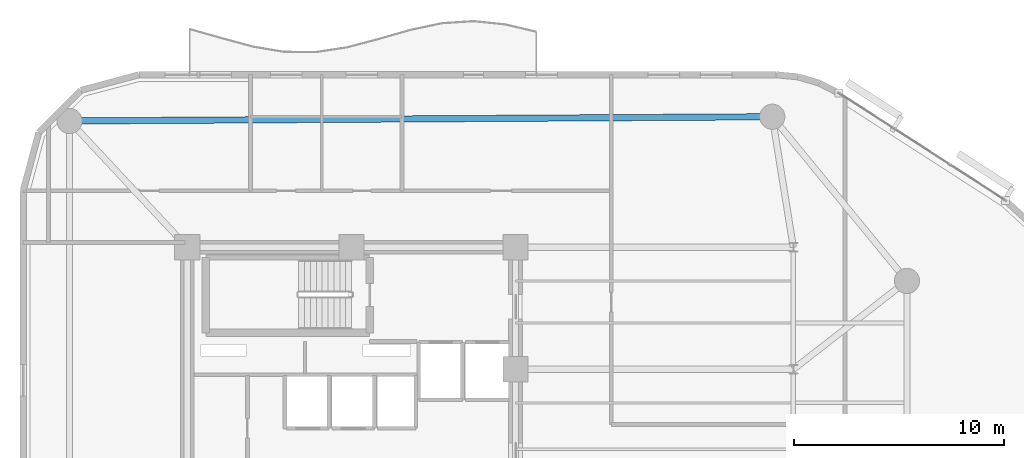
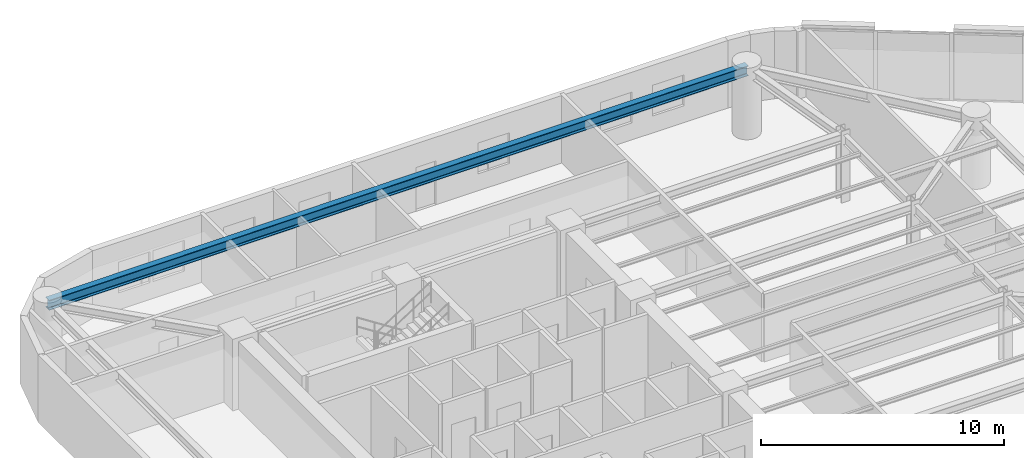
# One storey, part 7 of 14: 1 beam.
"""IFC4 building model written with IfcOpenShell, lengths in metres."""

from ifc_helpers import new_model, si_unit, direction, frame, origin, origin_2d, place, context, subcontext, project, spatial, i_section, extrude, material, material_profile, profile_set, type_object, element, save


model = new_model("IFC4")

# Units and contexts
model_context = context("Model", 3, precision=1e-05, world=origin(), true_north=direction((0.0, 1.0)))
body_context = subcontext(model_context, "Body", "Model", "MODEL_VIEW")
ifc_project = project(units=[si_unit("LENGTHUNIT", "METRE"), si_unit("AREAUNIT", "SQUARE_METRE"), si_unit("VOLUMEUNIT", "CUBIC_METRE"), si_unit("PLANEANGLEUNIT", "RADIAN"), si_unit("MASSUNIT", "GRAM", prefix="KILO")], contexts=[model_context])

# Site, building, storey
site_placement = place(None, origin())
site = spatial("IfcSite", under=ifc_project, at=site_placement, CompositionType="ELEMENT")
building_placement = place(site_placement, origin())
building = spatial("IfcBuilding", under=site, at=building_placement, Name="An Khanh Terracotta Commons", CompositionType="ELEMENT")
storey_placement = place(building_placement, frame((0.0, 0.0, 154.60009765625)))
storey = spatial("IfcBuildingStorey", under=building, at=storey_placement, Name="L40", CompositionType="ELEMENT", Elevation=154.60009765625)

# Beam
ifc_material = material(Name="Steel S355J2", Category="steel")
ifc_material_profile = material_profile(ifc_material, i_section(OverallWidth=0.300048828125, OverallDepth=0.5, WebThickness=0.014404296875, FlangeThickness=0.028076171875, FilletRadius=0.027099609375, at=origin_2d()), Name="HEB500")
ifc_profile_set = profile_set([ifc_material_profile], Name="Steel S355J2")
beam_type = type_object("IfcBeamType", Name="BM-HEB500", PredefinedType="BEAM", material=ifc_profile_set)
beam_placement = place(storey_placement, frame((49.39990234375, 39.800048828125, 3.14990234375), z_axis=(-0.999982080914, -0.005986472262, 0.0), x_axis=(0.005986472262, -0.999982080914, 0.0)))
element("IfcBeam", 1, at=beam_placement, inside=storey, type_object=beam_type, Name="L40 Perimeter Ring Spandrel 5", PredefinedType="BEAM", context=body_context, shape_type="SweptSolid", body=[
    extrude(i_section(OverallWidth=0.300048828125, OverallDepth=0.5, WebThickness=0.014404296875, FlangeThickness=0.028076171875, FilletRadius=0.027099609375, at=origin_2d()), origin(), (0.0, 0.0, 1.0), 33.400390625),
])

save(model, "model.ifc")
